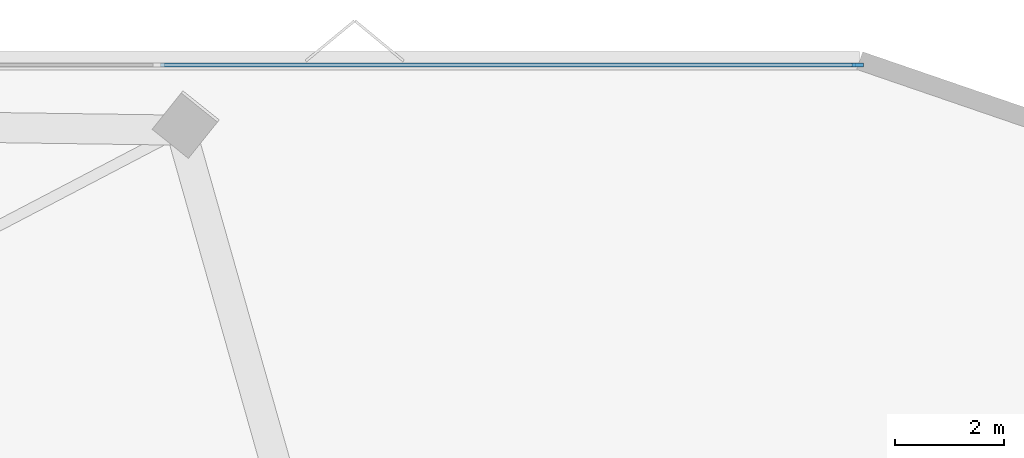
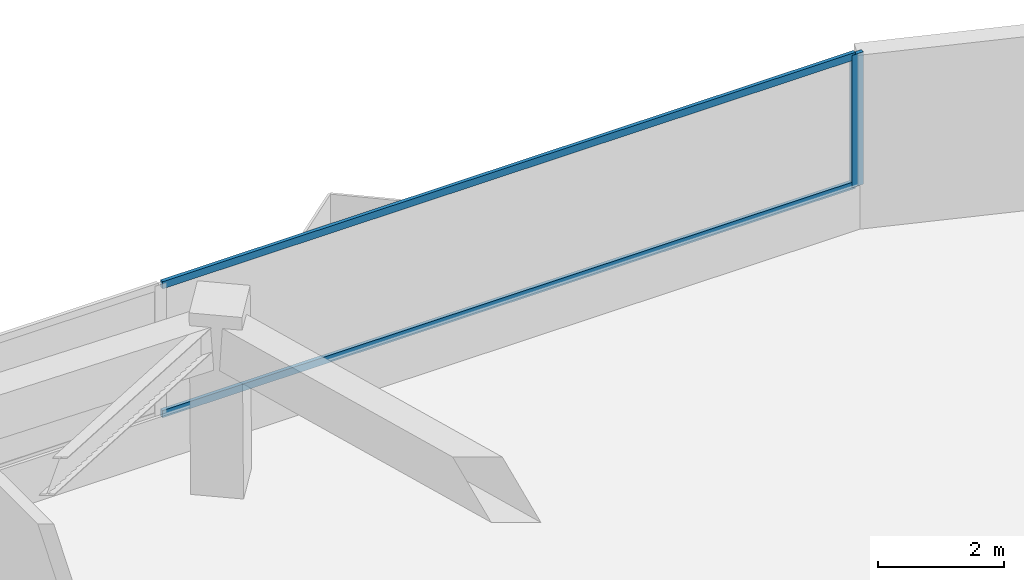
# One storey, part 8 of 13: 3 members, 1 element without a shape of its own.
"""IFC4 building model written with IfcOpenShell, lengths in metres."""

from ifc_helpers import new_model, si_unit, direction, frame, origin, origin_2d, place, context, subcontext, project, spatial, rectangle, extrude, material, layer, layer_set, material_profile, profile_set, type_object, element, aggregate, save


model = new_model("IFC4")

# Units and contexts
model_context = context("Model", 3, precision=1e-05, world=origin(), true_north=direction((0.0, 1.0)))
body_context = subcontext(model_context, "Body", "Model", "MODEL_VIEW")
ifc_project = project(units=[si_unit("LENGTHUNIT", "METRE"), si_unit("AREAUNIT", "SQUARE_METRE"), si_unit("VOLUMEUNIT", "CUBIC_METRE"), si_unit("PLANEANGLEUNIT", "RADIAN"), si_unit("MASSUNIT", "GRAM", prefix="KILO")], contexts=[model_context])

# Site, building, storey
site_placement = place(None, origin())
site = spatial("IfcSite", under=ifc_project, at=site_placement, CompositionType="ELEMENT")
building_placement = place(site_placement, origin())
building = spatial("IfcBuilding", under=site, at=building_placement, Name="Talyreon Biosciences Tower", CompositionType="ELEMENT")
storey_placement = place(building_placement, frame((0.0, 0.0, 104.199951171875)))
storey = spatial("IfcBuildingStorey", under=building, at=storey_placement, Name="L27", CompositionType="ELEMENT", Elevation=104.199951171875)

# Curtain wall, members
ifc_material_1 = material(Name="Thermally broken aluminium and low-E glazing", Category="aluminium")
ifc_layer = layer(ifc_material_1, 0.205078125)
ifc_layer_set = layer_set([ifc_layer], Name="Thermally broken aluminium and low-E glazing")
curtain_wall_type = type_object("IfcCurtainWallType", Name="CurtainWall_SkyGardenLoggia", PredefinedType="NOTDEFINED", material=ifc_layer_set)
curtain_wall_placement = place(storey_placement, origin())
curtain_wall = element("IfcCurtainWall", 1, at=curtain_wall_placement, inside=storey, type_object=curtain_wall_type, Name="L27 Unitised Curtain Wall FCW-L27-03", PredefinedType="NOTDEFINED")
ifc_material_2 = material(Name="Anodised thermally broken aluminium", Category="aluminium")
ifc_material_profile_1 = material_profile(ifc_material_2, rectangle(XDim=0.074951171875, YDim=0.2099609375, at=origin_2d()), Name="ALUM MULLION 75x210")
ifc_profile_set_1 = profile_set([ifc_material_profile_1], Name="Anodised thermally broken aluminium")
member_type_1 = type_object("IfcMemberType", Name="CWMullion_75x210", PredefinedType="MULLION", material=ifc_profile_set_1)
member_1_placement = place(storey_placement, frame((91.616455078125, 89.906494140625, 0.81005859375), z_axis=(0.0, 0.0, 1.0), x_axis=(0.0, 1.0, 0.0)))
member_1 = element("IfcMember", 2, at=member_1_placement, type_object=member_type_1, Name="CW7 mullion 5", PredefinedType="MULLION", context=body_context, shape_type="SweptSolid", body=[
    extrude(rectangle(XDim=0.074951171875, YDim=0.2099609375, at=origin_2d()), origin(), (0.0, 0.0, 1.0), 2.56494140625),
])
ifc_material_profile_2 = material_profile(ifc_material_2, rectangle(XDim=0.06494140625, YDim=0.139892578125, at=origin_2d()), Name="ALUM TRANSOM 65x140")
ifc_profile_set_2 = profile_set([ifc_material_profile_2], Name="Anodised thermally broken aluminium")
member_type_2 = type_object("IfcMemberType", Name="CWTransom_65x140", PredefinedType="USERDEFINED", material=ifc_profile_set_2)
member_2_placement = place(storey_placement, frame((78.864501953125, 89.906494140625, 0.842529296875), z_axis=(1.0, 0.0, 0.0), x_axis=(0.0, 1.0, 0.0)))
member_2 = element("IfcMember", 3, at=member_2_placement, type_object=member_type_2, Name="CW7 transom 4.1", ObjectType="TRANSOM", PredefinedType="USERDEFINED", context=body_context, shape_type="SweptSolid", body=[
    extrude(rectangle(XDim=0.06494140625, YDim=0.139892578125, at=origin_2d()), origin(), (0.0, 0.0, 1.0), 12.71435546875),
])
member_3_placement = place(storey_placement, frame((78.864501953125, 89.906494140625, 3.342529296875), z_axis=(1.0, 0.0, 0.0), x_axis=(0.0, 1.0, 0.0)))
member_3 = element("IfcMember", 4, at=member_3_placement, type_object=member_type_2, Name="CW7 transom 4.2", ObjectType="TRANSOM", PredefinedType="USERDEFINED", context=body_context, shape_type="SweptSolid", body=[
    extrude(rectangle(XDim=0.06494140625, YDim=0.139892578125, at=origin_2d()), origin(), (0.0, 0.0, 1.0), 12.71435546875),
])
aggregate(curtain_wall, [member_1, member_2, member_3])

save(model, "model.ifc")
